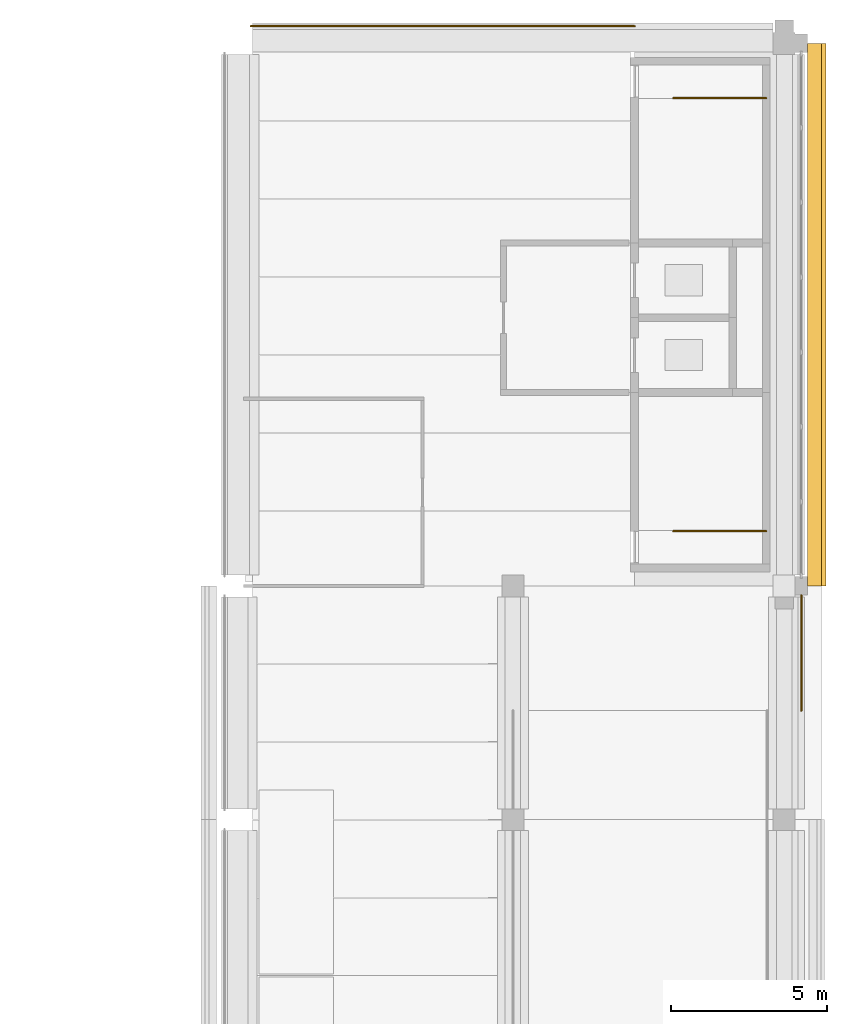
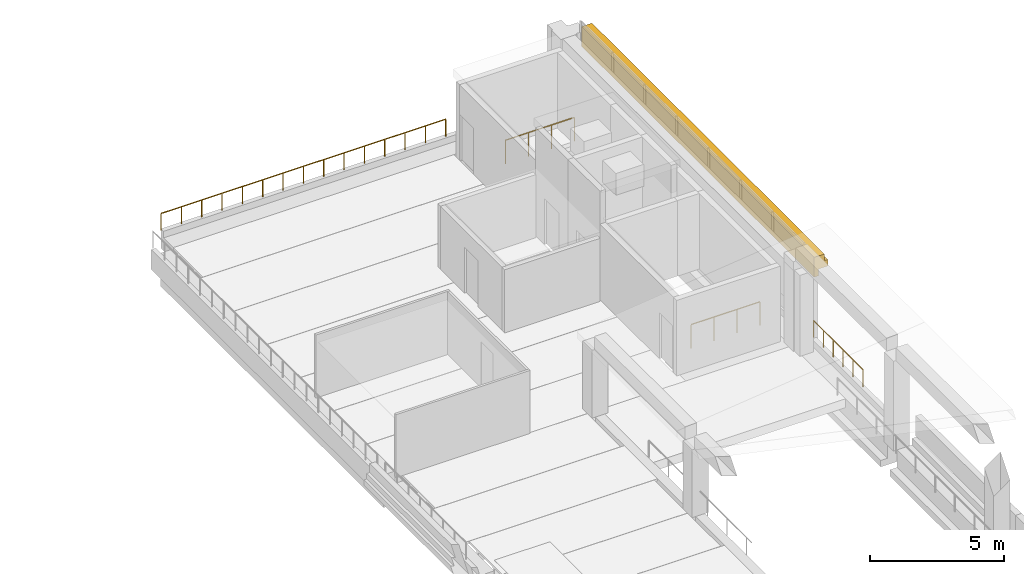
# One storey, part 15 of 17: 4 railings, 1 covering.
"""IFC4 building model written with IfcOpenShell, lengths in metres."""

from ifc_helpers import new_model, si_unit, direction, frame, origin, origin_2d, place, context, subcontext, project, spatial, polyline, circle, outline, extrude, material, layer, layer_set, type_object, element, save


model = new_model("IFC4")

# Units and contexts
model_context = context("Model", 3, precision=1e-05, world=origin(), true_north=direction((0.0, 1.0)))
body_context = subcontext(model_context, "Body", "Model", "MODEL_VIEW")
ifc_project = project(units=[si_unit("LENGTHUNIT", "METRE"), si_unit("AREAUNIT", "SQUARE_METRE"), si_unit("VOLUMEUNIT", "CUBIC_METRE"), si_unit("PLANEANGLEUNIT", "RADIAN"), si_unit("MASSUNIT", "GRAM", prefix="KILO")], contexts=[model_context])

# Site, building, storey
site_placement = place(None, origin())
site = spatial("IfcSite", under=ifc_project, at=site_placement, CompositionType="ELEMENT")
building_placement = place(site_placement, origin())
building = spatial("IfcBuilding", under=site, at=building_placement, Name="Cour d'Honneur Mobility Palace", CompositionType="ELEMENT")
storey_placement = place(building_placement, frame((0.0, 0.0, 34.10009765625)))
storey = spatial("IfcBuildingStorey", under=building, at=storey_placement, Name="L09", CompositionType="ELEMENT", Elevation=34.10009765625)

# Railings
ifc_material_1 = material(Name="Painted steel", Category="steel")
railing_type_1 = type_object("IfcRailingType", Name="Balustrade", PredefinedType="BALUSTRADE", material=ifc_material_1)
railing_1_placement = place(storey_placement, frame((162.85009765625, 41.0, 0.2998046875)))
element("IfcRailing", 1, at=railing_1_placement, inside=storey, type_object=railing_type_1, Name="Balustrade BAL-423", PredefinedType="BALUSTRADE", context=body_context, shape_type="SweptSolid", body=[
    extrude(circle(Radius=0.02392578125, at=origin_2d()), frame((0.0, 0.0, 0.77587890625), z_axis=(0.0, 1.0, 0.0), x_axis=(-1.0, 0.0, 0.0)), (0.0, 0.0, 1.0), 3.699951171875),
    extrude(circle(Radius=0.02099609375, at=origin_2d()), origin(), (0.0, 0.0, 1.0), 0.751953125),
    extrude(circle(Radius=0.02099609375, at=origin_2d()), frame((0.0, 0.739990234375, 0.0)), (0.0, 0.0, 1.0), 0.751953125),
    extrude(circle(Radius=0.02099609375, at=origin_2d()), frame((0.0, 1.47998046875, 0.0)), (0.0, 0.0, 1.0), 0.751953125),
    extrude(circle(Radius=0.02099609375, at=origin_2d()), frame((0.0, 2.219970703125, 0.0)), (0.0, 0.0, 1.0), 0.751953125),
    extrude(circle(Radius=0.02099609375, at=origin_2d()), frame((0.0, 2.9599609375, 0.0)), (0.0, 0.0, 1.0), 0.751953125),
    extrude(circle(Radius=0.02099609375, at=origin_2d()), frame((0.0, 3.699951171875, 0.0)), (0.0, 0.0, 1.0), 0.751953125),
])
railing_2_placement = place(storey_placement, frame((157.5, 62.949951171875, 0.2998046875)))
element("IfcRailing", 2, at=railing_2_placement, inside=storey, type_object=railing_type_1, Name="Balustrade BAL-424", PredefinedType="BALUSTRADE", context=body_context, shape_type="SweptSolid", body=[
    extrude(circle(Radius=0.02392578125, at=origin_2d()), frame((0.0, 0.0, 0.77587890625), z_axis=(-1.0, 0.0, 0.0), x_axis=(0.0, -1.0, 0.0)), (0.0, 0.0, 1.0), 12.300048828125),
    extrude(circle(Radius=0.02099609375, at=origin_2d()), origin(), (0.0, 0.0, 1.0), 0.751953125),
    extrude(circle(Radius=0.02099609375, at=origin_2d()), frame((-0.878662109375, 0.0, 0.0)), (0.0, 0.0, 1.0), 0.751953125),
    extrude(circle(Radius=0.02099609375, at=origin_2d()), frame((-1.757080078125, 0.0, 0.0)), (0.0, 0.0, 1.0), 0.751953125),
    extrude(circle(Radius=0.02099609375, at=origin_2d()), frame((-2.6357421875, 0.0, 0.0)), (0.0, 0.0, 1.0), 0.751953125),
    extrude(circle(Radius=0.02099609375, at=origin_2d()), frame((-3.514404296875, 0.0, 0.0)), (0.0, 0.0, 1.0), 0.751953125),
    extrude(circle(Radius=0.02099609375, at=origin_2d()), frame((-4.392822265625, 0.0, 0.0)), (0.0, 0.0, 1.0), 0.751953125),
    extrude(circle(Radius=0.02099609375, at=origin_2d()), frame((-5.271484375, 0.0, 0.0)), (0.0, 0.0, 1.0), 0.751953125),
    extrude(circle(Radius=0.02099609375, at=origin_2d()), frame((-6.14990234375, 0.0, 0.0)), (0.0, 0.0, 1.0), 0.751953125),
    extrude(circle(Radius=0.02099609375, at=origin_2d()), frame((-7.028564453125, 0.0, 0.0)), (0.0, 0.0, 1.0), 0.751953125),
    extrude(circle(Radius=0.02099609375, at=origin_2d()), frame((-7.9072265625, 0.0, 0.0)), (0.0, 0.0, 1.0), 0.751953125),
    extrude(circle(Radius=0.02099609375, at=origin_2d()), frame((-8.78564453125, 0.0, 0.0)), (0.0, 0.0, 1.0), 0.751953125),
    extrude(circle(Radius=0.02099609375, at=origin_2d()), frame((-9.664306640625, 0.0, 0.0)), (0.0, 0.0, 1.0), 0.751953125),
    extrude(circle(Radius=0.02099609375, at=origin_2d()), frame((-10.54296875, 0.0, 0.0)), (0.0, 0.0, 1.0), 0.751953125),
    extrude(circle(Radius=0.02099609375, at=origin_2d()), frame((-11.42138671875, 0.0, 0.0)), (0.0, 0.0, 1.0), 0.751953125),
    extrude(circle(Radius=0.02099609375, at=origin_2d()), frame((-12.300048828125, 0.0, 0.0)), (0.0, 0.0, 1.0), 0.751953125),
])

# Covering
ifc_material_2 = material(Name="Cast limestone", Category="masonry")
ifc_layer = layer(ifc_material_2, 0.5)
ifc_layer_set = layer_set([ifc_layer], Name="Cast limestone")
covering_type = type_object("IfcCoveringType", Name="Crown cornice", PredefinedType="CLADDING", material=ifc_layer_set)
covering_placement = place(storey_placement, frame((163.050048828125, 45.0, 2.7998046875), z_axis=(0.0, -1.0, 0.0), x_axis=(1.0, 0.0, 0.0)))
element("IfcCovering", 3, at=covering_placement, inside=storey, type_object=covering_type, Name="Crown cornice CN-92", PredefinedType="CLADDING", context=body_context, shape_type="SweptSolid", body=[
    extrude(outline(polyline([(0.0, 0.0), (0.199951171875, 0.0), (0.199951171875, 0.300048828125), (0.599853515625, 0.300048828125), (0.599853515625, 0.60009765625), (0.449951171875, 0.60009765625), (0.449951171875, 0.900146484375), (0.0, 0.900146484375), (0.0, 0.0)])), origin(), (0.0, 0.0, -1.0), 17.39990234375),
])

# Railings
ifc_material_3 = material(Name="Painted steel", Category="steel")
railing_type_2 = type_object("IfcRailingType", Name="Guardrail 1100", PredefinedType="GUARDRAIL", material=ifc_material_3)
for number, where, name in (
    (4, (158.75, 46.7548828125, 0.0), "Guard ST-CE1"),
    (5, (158.75, 60.64501953125, 0.0), "Guard ST-CE2"),
):
    element("IfcRailing", number, at=place(storey_placement, frame(where)), inside=storey, type_object=railing_type_2, Name=name, PredefinedType="GUARDRAIL", context=body_context, shape_type="SweptSolid", body=[
        extrude(circle(Radius=0.02490234375, at=origin_2d()), frame((0.0, 0.0, 1.0751953125), z_axis=(1.0, 0.0, 0.0), x_axis=(0.0, 1.0, 0.0)), (0.0, 0.0, 1.0), 2.97509765625),
        extrude(circle(Radius=0.02099609375, at=origin_2d()), origin(), (0.0, 0.0, 1.0), 1.050048828125),
        extrude(circle(Radius=0.02099609375, at=origin_2d()), frame((0.99169921875, 0.0, 0.0)), (0.0, 0.0, 1.0), 1.050048828125),
        extrude(circle(Radius=0.02099609375, at=origin_2d()), frame((1.9833984375, 0.0, 0.0)), (0.0, 0.0, 1.0), 1.050048828125),
        extrude(circle(Radius=0.02099609375, at=origin_2d()), frame((2.97509765625, 0.0, 0.0)), (0.0, 0.0, 1.0), 1.050048828125),
    ])

save(model, "model.ifc")
